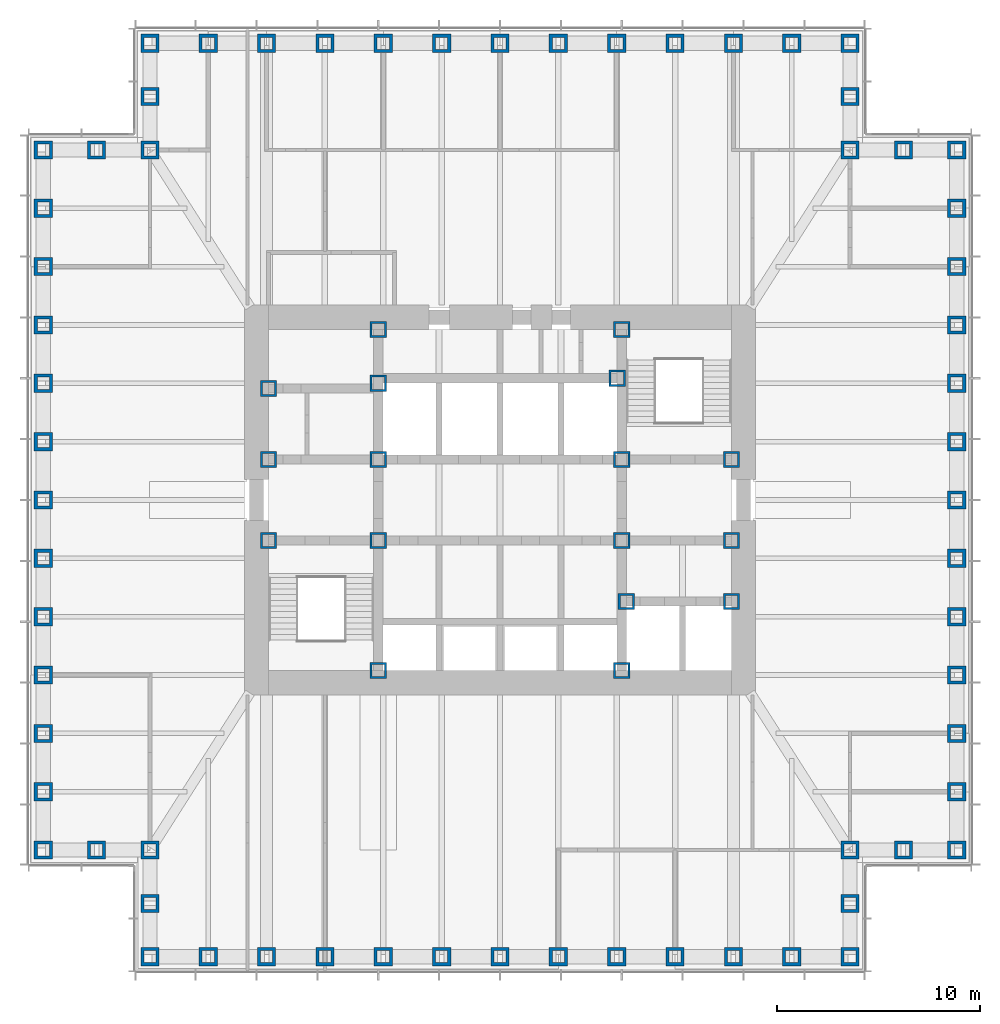
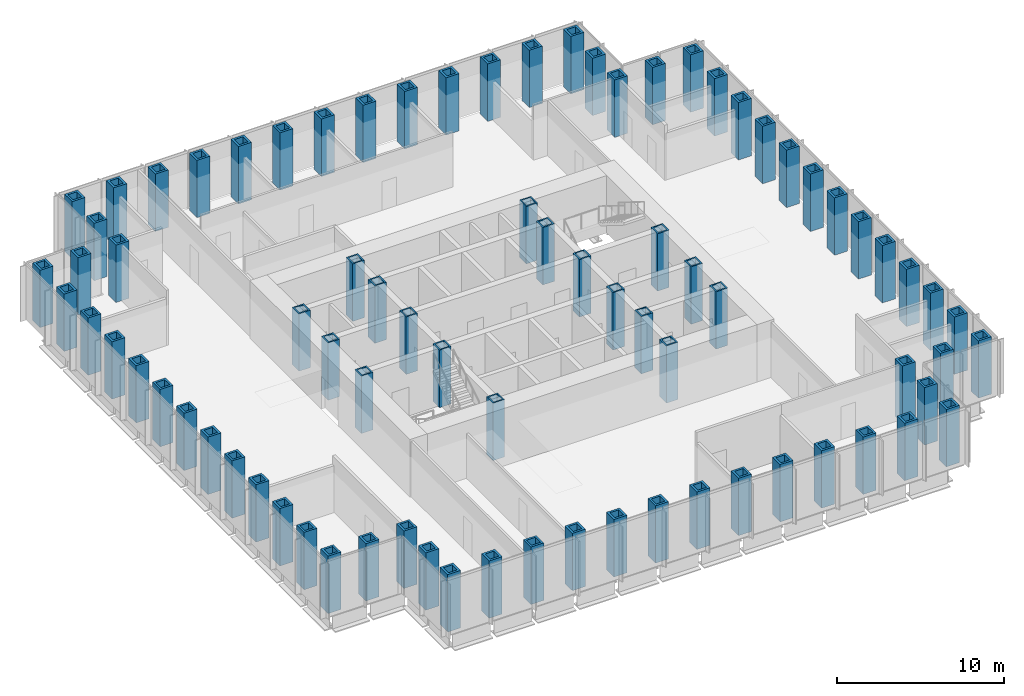
# One storey, part 1 of 17: 81 columns.
"""IFC4 building model written with IfcOpenShell, lengths in metres."""

from ifc_helpers import new_model, si_unit, direction, frame, origin, origin_2d, place, context, subcontext, project, spatial, hollow_rectangle, extrude, material, material_profile, profile_set, type_object, element, save


model = new_model("IFC4")

# Units and contexts
model_context = context("Model", 3, precision=1e-05, world=origin(), true_north=direction((0.0, 1.0)))
body_context = subcontext(model_context, "Body", "Model", "MODEL_VIEW")
ifc_project = project(units=[si_unit("LENGTHUNIT", "METRE"), si_unit("AREAUNIT", "SQUARE_METRE"), si_unit("VOLUMEUNIT", "CUBIC_METRE"), si_unit("PLANEANGLEUNIT", "RADIAN"), si_unit("MASSUNIT", "GRAM", prefix="KILO")], contexts=[model_context])

# Site, building, storey
site_placement = place(None, origin())
site = spatial("IfcSite", under=ifc_project, at=site_placement, CompositionType="ELEMENT")
building_placement = place(site_placement, origin())
building = spatial("IfcBuilding", under=site, at=building_placement, Name="Daluyong Arena Tower", CompositionType="ELEMENT")
storey_placement = place(building_placement, frame((0.0, 0.0, 129.10009765625)))
storey = spatial("IfcBuildingStorey", under=building, at=storey_placement, Name="L28", CompositionType="ELEMENT", Elevation=129.10009765625)

# Columns
ifc_material_1 = material(Name="Steel ASTM A572 Grade 50", Category="steel")
ifc_material_profile_1 = material_profile(ifc_material_1, hollow_rectangle(XDim=0.800048828125, YDim=0.800048828125, WallThickness=0.1, at=origin_2d()))
ifc_profile_set_1 = profile_set([ifc_material_profile_1], Name="Steel ASTM A572 Grade 50")
column_type_1 = type_object("IfcColumnType", Name="Core boundary column BX800X100", PredefinedType="COLUMN", material=ifc_profile_set_1)
for number, where, z_axis, x_axis, name in (
    (1, (44.60009765625, 78.0, 0.0), (0.0, 0.0, 1.0), (1.0, 0.0, 0.0), "core boundary column BC2"),
    (2, (44.60009765625, 82.0, 0.0), (0.0, 0.0, 1.0), (1.0, 0.0, 0.0), "core boundary column BC2"),
    (3, (44.60009765625, 85.5, 0.0), (0.0, 0.0, 1.0), (1.0, 0.0, 0.0), "core boundary column BC2"),
    (4, (50.0, 71.60009765625, 0.0), (0.0, 0.0, 1.0), (1.0, 0.0, 0.0), "core boundary column BC2"),
    (5, (50.0, 78.0, 0.0), (0.0, 0.0, 1.0), (1.0, 0.0, 0.0), "core boundary column BC2"),
    (6, (50.0, 82.0, 0.0), (0.0, 0.0, 1.0), (1.0, 0.0, 0.0), "core boundary column BC2"),
    (7, (50.0, 85.75, 0.0), (0.0, 0.0, 1.0), (1.0, 0.0, 0.0), "core boundary column BC2"),
    (8, (50.0, 88.39990234375, 0.0), (0.0, 0.0, 1.0), (1.0, 0.0, 0.0), "core boundary column BC2"),
    (9, (61.77490234375, 86.0, 0.0), (0.0, 0.0, 1.0), (1.0, 0.0, 0.0), "core boundary column BC2"),
    (10, (62.0, 71.60009765625, 0.0), (0.0, 0.0, 1.0), (1.0, 0.0, 0.0), "core boundary column BC2"),
    (11, (62.0, 78.0, 0.0), (0.0, 0.0, 1.0), (1.0, 0.0, 0.0), "core boundary column BC2"),
    (12, (62.0, 82.0, 0.0), (0.0, 0.0, 1.0), (1.0, 0.0, 0.0), "core boundary column BC2"),
    (13, (62.0, 88.39990234375, 0.0), (0.0, 0.0, 1.0), (1.0, 0.0, 0.0), "core boundary column BC2"),
    (14, (62.22509765625, 75.0, 0.0), (0.0, 0.0, 1.0), (1.0, 0.0, 0.0), "core boundary column BC2"),
    (15, (67.39990234375, 75.0, 0.0), (0.0, 0.0, 1.0), (1.0, 0.0, 0.0), "core boundary column BC2"),
    (16, (67.39990234375, 78.0, 0.0), (0.0, 0.0, 1.0), (1.0, 0.0, 0.0), "core boundary column BC2"),
    (17, (67.39990234375, 82.0, 0.0), (0.0, 0.0, 1.0), (1.0, 0.0, 0.0), "core boundary column BC2"),
):
    element("IfcColumn", number, at=place(storey_placement, frame(where, z_axis=z_axis, x_axis=x_axis)), inside=storey, type_object=column_type_1, Name=name, PredefinedType="COLUMN", context=body_context, shape_type="SweptSolid", body=[
        extrude(hollow_rectangle(XDim=0.800048828125, YDim=0.800048828125, WallThickness=0.1, at=origin_2d()), origin(), (0.0, 0.0, 1.0), 4.199951171875),
    ])
ifc_material_2 = material(Name="Steel ASTM A588 Grade 50", Category="steel")
ifc_material_profile_2 = material_profile(ifc_material_2, hollow_rectangle(XDim=0.89990234375, YDim=0.89990234375, WallThickness=0.15, at=origin_2d()))
ifc_profile_set_2 = profile_set([ifc_material_profile_2], Name="Steel ASTM A588 Grade 50")
column_type_2 = type_object("IfcColumnType", Name="Tube column BX900X150 BX900X150", PredefinedType="COLUMN", material=ifc_profile_set_2)
for number, where, z_axis, x_axis, name in (
    (18, (38.75, 57.5, 0.0), (0.0, 0.0, 1.0), (1.0, 0.0, 0.0), "tube column bx900x150 TC5"),
    (19, (41.625, 57.5, 0.0), (0.0, 0.0, 1.0), (1.0, 0.0, 0.0), "tube column bx900x150 TC5"),
    (20, (44.5, 57.5, 0.0), (0.0, 0.0, 1.0), (1.0, 0.0, 0.0), "tube column bx900x150 TC5"),
    (21, (47.375, 57.5, 0.0), (0.0, 0.0, 1.0), (1.0, 0.0, 0.0), "tube column bx900x150 TC5"),
    (22, (50.25, 57.5, 0.0), (0.0, 0.0, 1.0), (1.0, 0.0, 0.0), "tube column bx900x150 TC5"),
    (23, (53.125, 57.5, 0.0), (0.0, 0.0, 1.0), (1.0, 0.0, 0.0), "tube column bx900x150 TC5"),
    (24, (56.0, 57.5, 0.0), (0.0, 0.0, 1.0), (1.0, 0.0, 0.0), "tube column bx900x150 TC5"),
    (25, (58.875, 57.5, 0.0), (0.0, 0.0, 1.0), (1.0, 0.0, 0.0), "tube column bx900x150 TC5"),
    (26, (61.75, 57.5, 0.0), (0.0, 0.0, 1.0), (1.0, 0.0, 0.0), "tube column bx900x150 TC5"),
    (27, (64.625, 57.5, 0.0), (0.0, 0.0, 1.0), (1.0, 0.0, 0.0), "tube column bx900x150 TC5"),
    (28, (67.5, 57.5, 0.0), (0.0, 0.0, 1.0), (1.0, 0.0, 0.0), "tube column bx900x150 TC5"),
    (29, (70.375, 57.5, 0.0), (0.0, 0.0, 1.0), (1.0, 0.0, 0.0), "tube column bx900x150 TC5"),
    (30, (73.25, 57.5, 0.0), (0.0, 0.0, 1.0), (0.0, 1.0, 0.0), "tube column bx900x150 TC5"),
    (31, (73.25, 60.125, 0.0), (0.0, 0.0, 1.0), (0.0, 1.0, 0.0), "tube column bx900x150 TC5"),
    (32, (73.25, 62.75, 0.0), (0.0, 0.0, 1.0), (1.0, 0.0, 0.0), "tube column bx900x150 TC5"),
    (33, (75.875, 62.75, 0.0), (0.0, 0.0, 1.0), (1.0, 0.0, 0.0), "tube column bx900x150 TC5"),
    (34, (78.5, 62.75, 0.0), (0.0, 0.0, 1.0), (0.0, 1.0, 0.0), "tube column bx900x150 TC5"),
    (35, (78.5, 65.625, 0.0), (0.0, 0.0, 1.0), (0.0, 1.0, 0.0), "tube column bx900x150 TC5"),
    (36, (78.5, 68.5, 0.0), (0.0, 0.0, 1.0), (0.0, 1.0, 0.0), "tube column bx900x150 TC5"),
    (37, (78.5, 71.375, 0.0), (0.0, 0.0, 1.0), (0.0, 1.0, 0.0), "tube column bx900x150 TC5"),
    (38, (78.5, 74.25, 0.0), (0.0, 0.0, 1.0), (0.0, 1.0, 0.0), "tube column bx900x150 TC5"),
    (39, (78.5, 77.125, 0.0), (0.0, 0.0, 1.0), (0.0, 1.0, 0.0), "tube column bx900x150 TC5"),
    (40, (78.5, 80.0, 0.0), (0.0, 0.0, 1.0), (0.0, 1.0, 0.0), "tube column bx900x150 TC5"),
    (41, (78.5, 82.875, 0.0), (0.0, 0.0, 1.0), (0.0, 1.0, 0.0), "tube column bx900x150 TC5"),
    (42, (78.5, 85.75, 0.0), (0.0, 0.0, 1.0), (0.0, 1.0, 0.0), "tube column bx900x150 TC5"),
    (43, (78.5, 88.625, 0.0), (0.0, 0.0, 1.0), (0.0, 1.0, 0.0), "tube column bx900x150 TC5"),
    (44, (78.5, 91.5, 0.0), (0.0, 0.0, 1.0), (0.0, 1.0, 0.0), "tube column bx900x150 TC5"),
    (45, (78.5, 94.375, 0.0), (0.0, 0.0, 1.0), (0.0, 1.0, 0.0), "tube column bx900x150 TC5"),
    (46, (78.5, 97.25, 0.0), (0.0, 0.0, 1.0), (1.0, 0.0, 0.0), "tube column bx900x150 TC5"),
    (47, (75.875, 97.25, 0.0), (0.0, 0.0, 1.0), (1.0, 0.0, 0.0), "tube column bx900x150 TC5"),
    (48, (73.25, 97.25, 0.0), (0.0, 0.0, 1.0), (0.0, 1.0, 0.0), "tube column bx900x150 TC5"),
    (49, (73.25, 99.875, 0.0), (0.0, 0.0, 1.0), (0.0, 1.0, 0.0), "tube column bx900x150 TC5"),
    (50, (73.25, 102.5, 0.0), (0.0, 0.0, 1.0), (1.0, 0.0, 0.0), "tube column bx900x150 TC5"),
    (51, (70.375, 102.5, 0.0), (0.0, 0.0, 1.0), (1.0, 0.0, 0.0), "tube column bx900x150 TC5"),
    (52, (67.5, 102.5, 0.0), (0.0, 0.0, 1.0), (1.0, 0.0, 0.0), "tube column bx900x150 TC5"),
    (53, (64.625, 102.5, 0.0), (0.0, 0.0, 1.0), (1.0, 0.0, 0.0), "tube column bx900x150 TC5"),
    (54, (61.75, 102.5, 0.0), (0.0, 0.0, 1.0), (1.0, 0.0, 0.0), "tube column bx900x150 TC5"),
    (55, (58.875, 102.5, 0.0), (0.0, 0.0, 1.0), (1.0, 0.0, 0.0), "tube column bx900x150 TC5"),
    (56, (56.0, 102.5, 0.0), (0.0, 0.0, 1.0), (1.0, 0.0, 0.0), "tube column bx900x150 TC5"),
    (57, (53.125, 102.5, 0.0), (0.0, 0.0, 1.0), (1.0, 0.0, 0.0), "tube column bx900x150 TC5"),
    (58, (50.25, 102.5, 0.0), (0.0, 0.0, 1.0), (1.0, 0.0, 0.0), "tube column bx900x150 TC5"),
    (59, (47.375, 102.5, 0.0), (0.0, 0.0, 1.0), (1.0, 0.0, 0.0), "tube column bx900x150 TC5"),
    (60, (44.5, 102.5, 0.0), (0.0, 0.0, 1.0), (1.0, 0.0, 0.0), "tube column bx900x150 TC5"),
    (61, (41.625, 102.5, 0.0), (0.0, 0.0, 1.0), (1.0, 0.0, 0.0), "tube column bx900x150 TC5"),
    (62, (38.75, 102.5, 0.0), (0.0, 0.0, 1.0), (0.0, 1.0, 0.0), "tube column bx900x150 TC5"),
    (63, (38.75, 99.875, 0.0), (0.0, 0.0, 1.0), (0.0, 1.0, 0.0), "tube column bx900x150 TC5"),
    (64, (38.75, 97.25, 0.0), (0.0, 0.0, 1.0), (1.0, 0.0, 0.0), "tube column bx900x150 TC5"),
    (65, (36.125, 97.25, 0.0), (0.0, 0.0, 1.0), (1.0, 0.0, 0.0), "tube column bx900x150 TC5"),
    (66, (33.5, 97.25, 0.0), (0.0, 0.0, 1.0), (0.0, 1.0, 0.0), "tube column bx900x150 TC5"),
    (67, (33.5, 94.375, 0.0), (0.0, 0.0, 1.0), (0.0, 1.0, 0.0), "tube column bx900x150 TC5"),
    (68, (33.5, 91.5, 0.0), (0.0, 0.0, 1.0), (0.0, 1.0, 0.0), "tube column bx900x150 TC5"),
    (69, (33.5, 88.625, 0.0), (0.0, 0.0, 1.0), (0.0, 1.0, 0.0), "tube column bx900x150 TC5"),
    (70, (33.5, 85.75, 0.0), (0.0, 0.0, 1.0), (0.0, 1.0, 0.0), "tube column bx900x150 TC5"),
    (71, (33.5, 82.875, 0.0), (0.0, 0.0, 1.0), (0.0, 1.0, 0.0), "tube column bx900x150 TC5"),
    (72, (33.5, 80.0, 0.0), (0.0, 0.0, 1.0), (0.0, 1.0, 0.0), "tube column bx900x150 TC5"),
    (73, (33.5, 77.125, 0.0), (0.0, 0.0, 1.0), (0.0, 1.0, 0.0), "tube column bx900x150 TC5"),
    (74, (33.5, 74.25, 0.0), (0.0, 0.0, 1.0), (0.0, 1.0, 0.0), "tube column bx900x150 TC5"),
    (75, (33.5, 71.375, 0.0), (0.0, 0.0, 1.0), (0.0, 1.0, 0.0), "tube column bx900x150 TC5"),
    (76, (33.5, 68.5, 0.0), (0.0, 0.0, 1.0), (0.0, 1.0, 0.0), "tube column bx900x150 TC5"),
    (77, (33.5, 65.625, 0.0), (0.0, 0.0, 1.0), (0.0, 1.0, 0.0), "tube column bx900x150 TC5"),
    (78, (33.5, 62.75, 0.0), (0.0, 0.0, 1.0), (1.0, 0.0, 0.0), "tube column bx900x150 TC5"),
    (79, (36.125, 62.75, 0.0), (0.0, 0.0, 1.0), (1.0, 0.0, 0.0), "tube column bx900x150 TC5"),
    (80, (38.75, 62.75, 0.0), (0.0, 0.0, 1.0), (0.0, 1.0, 0.0), "tube column bx900x150 TC5"),
    (81, (38.75, 60.125, 0.0), (0.0, 0.0, 1.0), (0.0, 1.0, 0.0), "tube column bx900x150 TC5"),
):
    element("IfcColumn", number, at=place(storey_placement, frame(where, z_axis=z_axis, x_axis=x_axis)), inside=storey, type_object=column_type_2, Name=name, PredefinedType="COLUMN", context=body_context, shape_type="SweptSolid", body=[
        extrude(hollow_rectangle(XDim=0.89990234375, YDim=0.89990234375, WallThickness=0.15, at=origin_2d()), origin(), (0.0, 0.0, 1.0), 4.199951171875),
    ])

save(model, "model.ifc")
